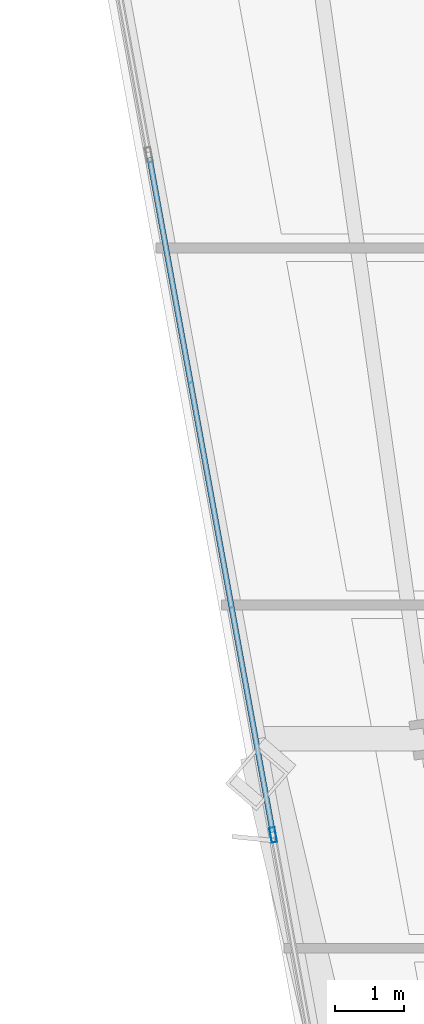
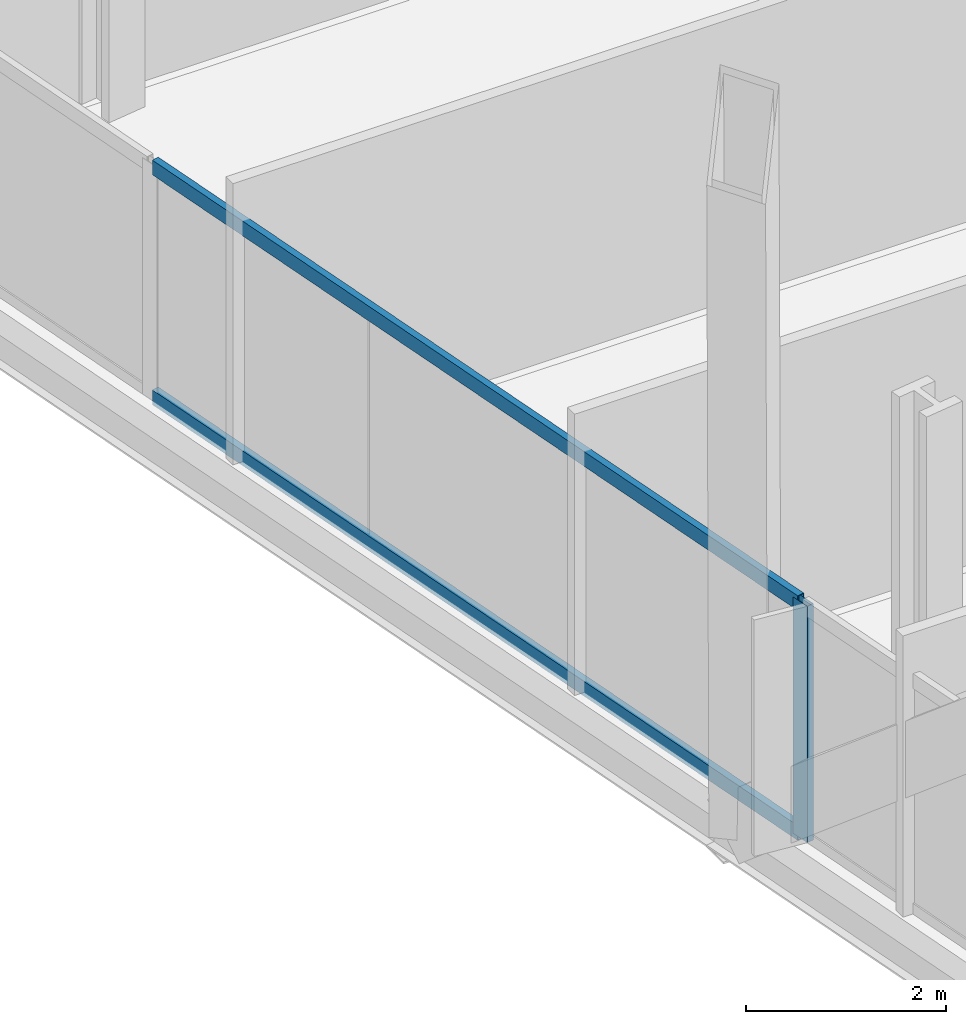
# One storey, part 7 of 34: 3 members, 1 element without a shape of its own.
"""IFC4 building model written with IfcOpenShell, lengths in metres."""

from ifc_helpers import new_model, si_unit, direction, frame, origin, origin_2d, place, context, subcontext, project, spatial, hollow_rectangle, extrude, material, material_profile, profile_set, type_object, element, aggregate, save


model = new_model("IFC4")

# Units and contexts
model_context = context("Model", 3, precision=1e-05, world=origin(), true_north=direction((0.0, 1.0)))
body_context = subcontext(model_context, "Body", "Model", "MODEL_VIEW")
ifc_project = project(units=[si_unit("LENGTHUNIT", "METRE"), si_unit("AREAUNIT", "SQUARE_METRE"), si_unit("VOLUMEUNIT", "CUBIC_METRE"), si_unit("PLANEANGLEUNIT", "RADIAN"), si_unit("MASSUNIT", "GRAM", prefix="KILO")], contexts=[model_context])

# Site, building, storey
site_placement = place(None, origin())
site = spatial("IfcSite", under=ifc_project, at=site_placement, CompositionType="ELEMENT")
building_placement = place(site_placement, origin())
building = spatial("IfcBuilding", under=site, at=building_placement, Name="Haldenkirk Collegiate Tower", CompositionType="ELEMENT")
storey_placement = place(building_placement, frame((0.0, 0.0, 62.699951171875)))
storey = spatial("IfcBuildingStorey", under=building, at=storey_placement, Name="L14", CompositionType="ELEMENT", Elevation=62.699951171875)

# Curtain wall, members
ifc_material = material(Name="Anodised architectural bronze aluminium", Category="aluminium")
curtain_wall_type = type_object("IfcCurtainWallType", Name="CW-SYS1-CONVEX-LOW", PredefinedType="USERDEFINED", material=ifc_material)
curtain_wall_placement = place(storey_placement, origin())
curtain_wall = element("IfcCurtainWall", 1, at=curtain_wall_placement, inside=storey, type_object=curtain_wall_type, Name="L14 Lower tower convex bronze-framed unitised curtain wall", ObjectType="UNITISED CURTAIN WALL", PredefinedType="USERDEFINED")
ifc_material_profile_1 = material_profile(ifc_material, hollow_rectangle(XDim=0.080078125, YDim=0.219970703125, WallThickness=0.0048828125, at=origin_2d()), Name="CW-MUL-1A")
ifc_profile_set_1 = profile_set([ifc_material_profile_1], Name="Anodised architectural bronze aluminium")
member_type_1 = type_object("IfcMemberType", Name="CW-MUL-1A", PredefinedType="MULLION", material=ifc_profile_set_1)
member_1_placement = place(storey_placement, frame((9.88671875, 21.650146484375, 0.0), z_axis=(0.0, 0.0, 1.0), x_axis=(-0.983728733251, -0.179660177491, 0.0)))
member_1 = element("IfcMember", 2, at=member_1_placement, type_object=member_type_1, Name="CW-1A mullion 3", PredefinedType="MULLION", context=body_context, shape_type="SweptSolid", body=[
    extrude(hollow_rectangle(XDim=0.080078125, YDim=0.219970703125, WallThickness=0.0048828125, at=origin_2d()), origin(), (0.0, 0.0, 1.0), 2.89111328125),
])
ifc_material_profile_2 = material_profile(ifc_material, hollow_rectangle(XDim=0.080078125, YDim=0.179931640625, WallThickness=0.0048828125, at=origin_2d()), Name="CW-TRN-1A")
ifc_profile_set_2 = profile_set([ifc_material_profile_2], Name="Anodised architectural bronze aluminium")
member_type_2 = type_object("IfcMemberType", Name="CW-TRN-1A", PredefinedType="USERDEFINED", material=ifc_profile_set_2)
member_2_placement = place(storey_placement, frame((9.87939453125, 21.689453125, 0.0400390625), z_axis=(-0.179670446514, 0.983726857745, 0.0), x_axis=(-0.983726857745, -0.179670446514, 0.0)))
member_2 = element("IfcMember", 3, at=member_2_placement, type_object=member_type_2, Name="CW-1A transom 3.1", ObjectType="TRANSOM", PredefinedType="USERDEFINED", context=body_context, shape_type="SweptSolid", body=[
    extrude(hollow_rectangle(XDim=0.080078125, YDim=0.179931640625, WallThickness=0.0048828125, at=origin_2d()), origin(), (0.0, 0.0, 1.0), 9.98876953125),
])
member_3_placement = place(storey_placement, frame((9.87939453125, 21.689453125, 2.85107421875), z_axis=(-0.179670446514, 0.983726857745, 0.0), x_axis=(-0.983726857745, -0.179670446514, 0.0)))
member_3 = element("IfcMember", 4, at=member_3_placement, type_object=member_type_2, Name="CW-1A transom 3.2", ObjectType="TRANSOM", PredefinedType="USERDEFINED", context=body_context, shape_type="SweptSolid", body=[
    extrude(hollow_rectangle(XDim=0.080078125, YDim=0.179931640625, WallThickness=0.0048828125, at=origin_2d()), origin(), (0.0, 0.0, 1.0), 9.98876953125),
])
aggregate(curtain_wall, [member_1, member_2, member_3])

save(model, "model.ifc")
